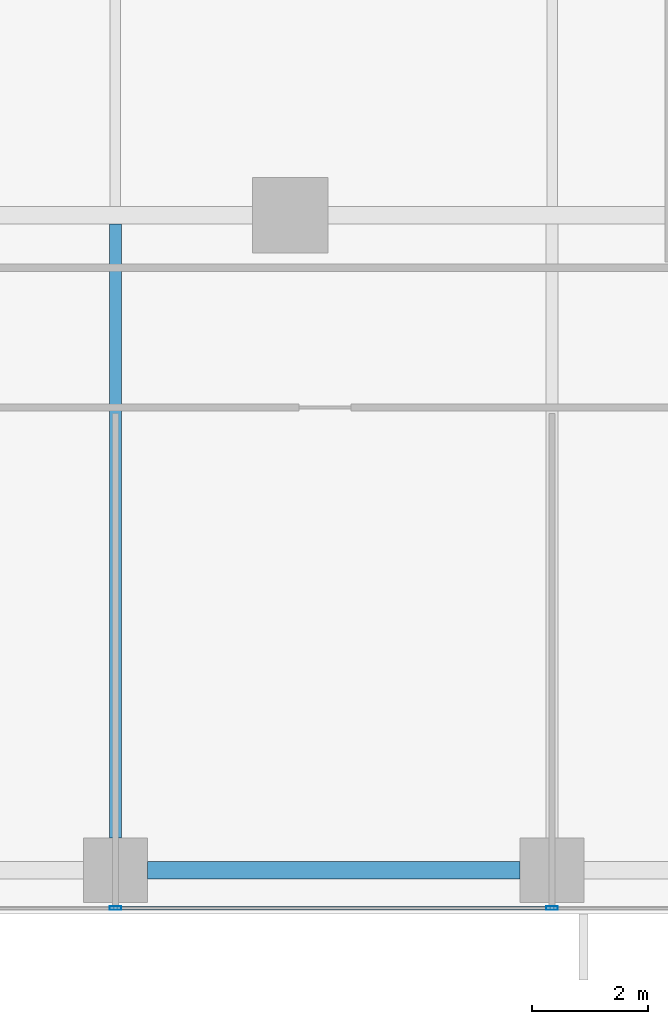
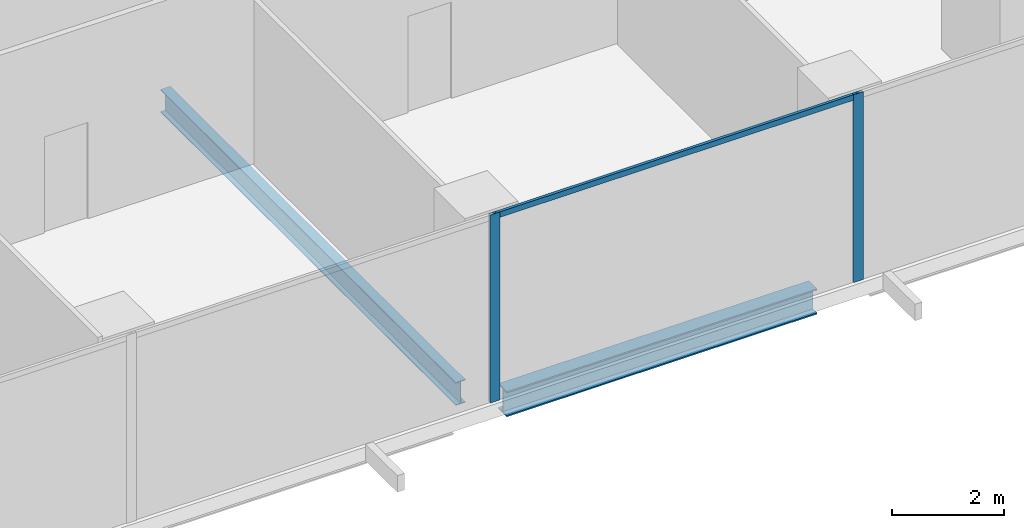
# One storey, part 9 of 34: 3 members, 2 beams, 1 element without a shape of its own.
"""IFC4 building model written with IfcOpenShell, lengths in metres."""

from ifc_helpers import new_model, si_unit, direction, frame, origin, origin_2d, place, context, subcontext, project, spatial, hollow_rectangle, i_section, extrude, source, transform, mapped, material, material_profile, profile_set, type_object, element, aggregate, save


model = new_model("IFC4")

# Units and contexts
model_context = context("Model", 3, precision=1e-05, world=origin(), true_north=direction((0.0, 1.0)))
body_context = subcontext(model_context, "Body", "Model", "MODEL_VIEW")
ifc_project = project(units=[si_unit("LENGTHUNIT", "METRE"), si_unit("AREAUNIT", "SQUARE_METRE"), si_unit("VOLUMEUNIT", "CUBIC_METRE"), si_unit("PLANEANGLEUNIT", "RADIAN"), si_unit("MASSUNIT", "GRAM", prefix="KILO")], contexts=[model_context])

# Site, building, storey
site_placement = place(None, origin())
site = spatial("IfcSite", under=ifc_project, at=site_placement, CompositionType="ELEMENT")
building_placement = place(site_placement, origin())
building = spatial("IfcBuilding", under=site, at=building_placement, Name="Khomas Fold Tower", CompositionType="ELEMENT")
storey_placement = place(building_placement, frame((0.0, 0.0, 105.89990234375)))
storey = spatial("IfcBuildingStorey", under=building, at=storey_placement, Name="L22", CompositionType="ELEMENT", Elevation=105.89990234375)

# Beams
ifc_material_1 = material(Name="Steel S355", Category="steel")
ifc_material_profile_1 = material_profile(ifc_material_1, i_section(OverallWidth=0.300048828125, OverallDepth=0.550048828125, WebThickness=0.014892578125, FlangeThickness=0.029052734375, at=origin_2d()), Name="HE 550 B")
ifc_profile_set_1 = profile_set([ifc_material_profile_1], Name="Steel S355")
beam_type_1 = type_object("IfcBeamType", Name="HE 550 B spandrel SB2", PredefinedType="SPANDREL", material=ifc_profile_set_1)
shared_shape_1 = source(origin(), body_context, "Body", "SweptSolid", [
    extrude(i_section(OverallWidth=0.300048828125, OverallDepth=0.550048828125, WebThickness=0.014892578125, FlangeThickness=0.029052734375, at=origin_2d()), origin(), (0.0, 0.0, 1.0), 6.39990234375),
])
beam_1_placement = place(storey_placement, frame((35.050048828125, 2.25, -0.574951171875), z_axis=(1.0, 0.0, 0.0), x_axis=(0.0, 1.0, 0.0)))
element("IfcBeam", 1, at=beam_1_placement, inside=storey, type_object=beam_type_1, Name="SB2", PredefinedType="SPANDREL", context=body_context, shape_type="MappedRepresentation", body=[
    mapped(shared_shape_1, transform((0.0, 0.0, 0.0))),
])
ifc_material_2 = material(Name="Steel S355", Category="steel")
ifc_material_profile_2 = material_profile(ifc_material_2, i_section(OverallWidth=0.199951171875, OverallDepth=0.5, WebThickness=0.01025390625, FlangeThickness=0.01611328125, at=origin_2d()), Name="IPE 500")
ifc_profile_set_2 = profile_set([ifc_material_profile_2], Name="Steel S355")
beam_type_2 = type_object("IfcBeamType", Name="IPE 500 beam JB5", PredefinedType="BEAM", material=ifc_profile_set_2)
shared_shape_2 = source(origin(), body_context, "Body", "SweptSolid", [
    extrude(i_section(OverallWidth=0.199951171875, OverallDepth=0.5, WebThickness=0.01025390625, FlangeThickness=0.01611328125, at=origin_2d()), origin(), (0.0, 0.0, 1.0), 10.550048828125),
])
beam_2_placement = place(storey_placement, frame((34.5, 2.800048828125, -0.5498046875), z_axis=(0.0, 1.0, 0.0), x_axis=(-1.0, 0.0, 0.0)))
element("IfcBeam", 2, at=beam_2_placement, inside=storey, type_object=beam_type_2, Name="JB5", PredefinedType="BEAM", context=body_context, shape_type="MappedRepresentation", body=[
    mapped(shared_shape_2, transform((0.0, 0.0, 0.0))),
])

# Curtain wall, members
ifc_material_3 = material(Name="Aluminium framed double glazing", Category="aluminium")
curtain_wall_type = type_object("IfcCurtainWallType", Name="SK-Unitised clear-glass wall, growing floors CW1", PredefinedType="NOTDEFINED", material=ifc_material_3)
curtain_wall_placement = place(storey_placement, origin())
curtain_wall = element("IfcCurtainWall", 3, at=curtain_wall_placement, inside=storey, type_object=curtain_wall_type, Name="CW1 run L22 00-0", PredefinedType="NOTDEFINED")
ifc_material_4 = material(Name="Aluminium", Category="aluminium")
ifc_material_profile_3 = material_profile(ifc_material_4, hollow_rectangle(XDim=0.06005859375, YDim=0.1201171875, WallThickness=0.00390625, at=origin_2d()), Name="SK-Unitised clear-glass wall, growing floors transom CW1-T")
ifc_profile_set_3 = profile_set([ifc_material_profile_3], Name="Aluminium")
member_type_1 = type_object("IfcMemberType", Name="SK-Unitised clear-glass wall, growing floors transom CW1-T", PredefinedType="USERDEFINED", material=ifc_profile_set_3)
shared_shape_3 = source(origin(), body_context, "Body", "SweptSolid", [
    extrude(hollow_rectangle(XDim=0.06005859375, YDim=0.1201171875, WallThickness=0.00390625, at=origin_2d()), origin(), (0.0, 0.0, 1.0), 7.43994140625),
])
member_1_placement = place(storey_placement, frame((34.530029296875, 1.60009765625, 4.0400390625), z_axis=(1.0, 0.0, 0.0), x_axis=(0.0, 1.0, 0.0)))
member_1 = element("IfcMember", 4, at=member_1_placement, type_object=member_type_1, Name="CW1 transom 6", ObjectType="TRANSOM", PredefinedType="USERDEFINED", context=body_context, shape_type="MappedRepresentation", body=[
    mapped(shared_shape_3, transform((0.0, 0.0, 0.0))),
])
ifc_material_5 = material(Name="Aluminium", Category="aluminium")
ifc_material_profile_4 = material_profile(ifc_material_5, hollow_rectangle(XDim=0.06005859375, YDim=0.199951171875, WallThickness=0.00390625, at=origin_2d()), Name="SK-Unitised clear-glass wall, growing floors mullion CW1-M")
ifc_profile_set_4 = profile_set([ifc_material_profile_4], Name="Aluminium")
member_type_2 = type_object("IfcMemberType", Name="SK-Unitised clear-glass wall, growing floors mullion CW1-M", PredefinedType="MULLION", material=ifc_profile_set_4)
shared_shape_4 = source(origin(), body_context, "Body", "SweptSolid", [
    extrude(hollow_rectangle(XDim=0.06005859375, YDim=0.199951171875, WallThickness=0.00390625, at=origin_2d()), origin(), (0.0, 0.0, 1.0), 4.10009765625),
])
member_2_placement = place(storey_placement, frame((34.5, 1.60009765625, 0.0), z_axis=(0.0, 0.0, 1.0), x_axis=(0.0, 1.0, 0.0)))
member_2 = element("IfcMember", 5, at=member_2_placement, type_object=member_type_2, Name="CW1 mullion 6", PredefinedType="MULLION", context=body_context, shape_type="MappedRepresentation", body=[
    mapped(shared_shape_4, transform((0.0, 0.0, 0.0))),
])
member_3_placement = place(storey_placement, frame((42.0, 1.60009765625, 0.0), z_axis=(0.0, 0.0, 1.0), x_axis=(0.0, 1.0, 0.0)))
member_3 = element("IfcMember", 6, at=member_3_placement, type_object=member_type_2, Name="CW1 mullion 7", PredefinedType="MULLION", context=body_context, shape_type="MappedRepresentation", body=[
    mapped(shared_shape_4, transform((0.0, 0.0, 0.0))),
])
aggregate(curtain_wall, [member_2, member_3, member_1])

save(model, "model.ifc")
